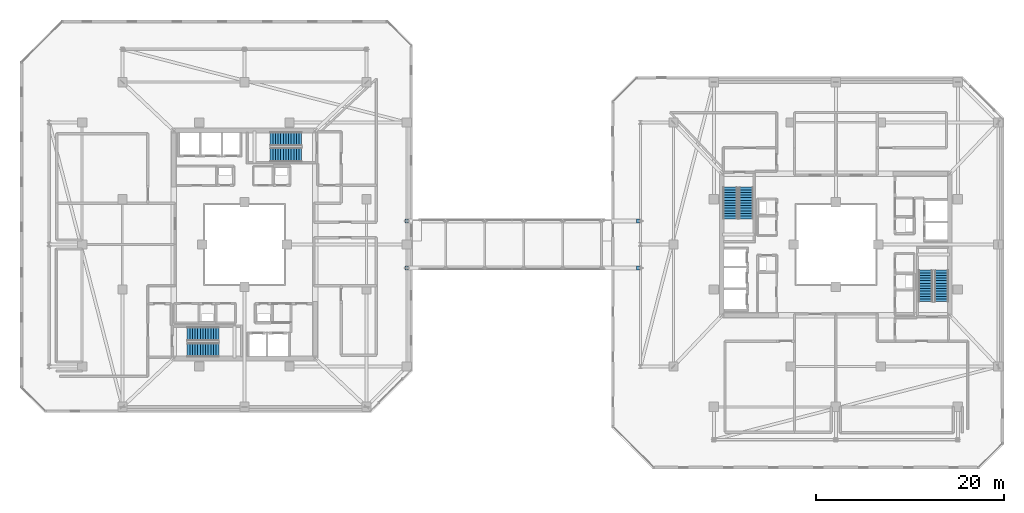
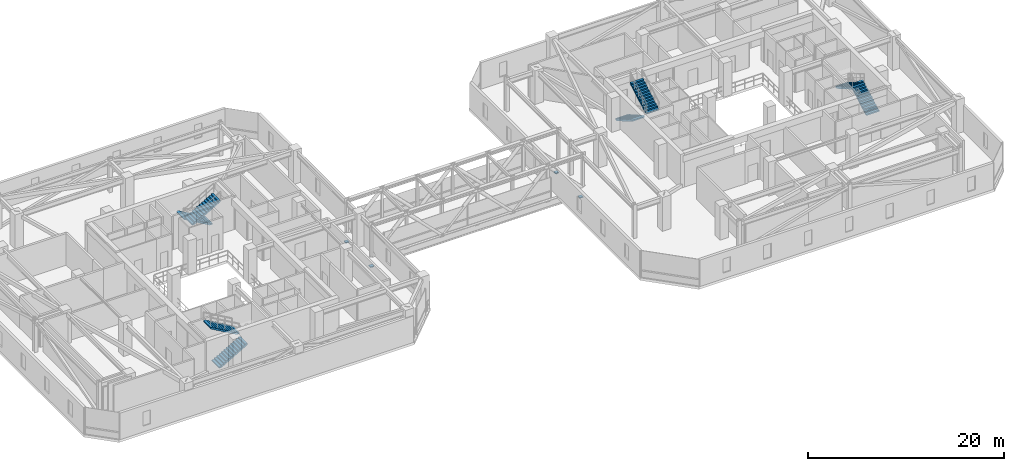
# One storey, part 40 of 42: 8 stair flights, 4 discrete accessories, 4 elements without a shape of their own.
"""IFC4 building model written with IfcOpenShell, lengths in metres."""

from ifc_helpers import new_model, si_unit, direction, frame, origin, origin_2d, place, context, subcontext, project, spatial, polyline, rectangle, outline, extrude, material, type_object, element, aggregate, save


model = new_model("IFC4")

# Units and contexts
model_context = context("Model", 3, precision=1e-05, world=origin(), true_north=direction((0.0, 1.0)))
body_context = subcontext(model_context, "Body", "Model", "MODEL_VIEW")
ifc_project = project(units=[si_unit("LENGTHUNIT", "METRE"), si_unit("AREAUNIT", "SQUARE_METRE"), si_unit("VOLUMEUNIT", "CUBIC_METRE"), si_unit("PLANEANGLEUNIT", "RADIAN"), si_unit("MASSUNIT", "GRAM", prefix="KILO")], contexts=[model_context])

# Site, building, storey
site_placement = place(None, origin())
site = spatial("IfcSite", under=ifc_project, at=site_placement, CompositionType="ELEMENT")
building_placement = place(site_placement, origin())
building = spatial("IfcBuilding", under=site, at=building_placement, Name="Thornwick Lancets Civic Towers", CompositionType="ELEMENT")
storey_placement = place(building_placement, frame((0.0, 0.0, 221.699951171875)))
storey = spatial("IfcBuildingStorey", under=building, at=storey_placement, Name="L59", CompositionType="ELEMENT", Elevation=221.699951171875)

# Stair, stair flights
ifc_material_1 = material(Name="Concrete C40/50", Category="concrete")
stair_type = type_object("IfcStairType", Name="STAIR_DL_4200", PredefinedType="HALF_TURN_STAIR", material=ifc_material_1)
stair_1_placement = place(storey_placement, origin())
stair_1 = element("IfcStair", 1, at=stair_1_placement, inside=storey, type_object=stair_type, Name="L59 Tower A South Exit Stair ST-A1", PredefinedType="HALF_TURN_STAIR")
stair_flight_type = type_object("IfcStairFlightType", Name="FLIGHT_4200", PredefinedType="STRAIGHT", material=ifc_material_1)
stair_flight_1_placement = place(storey_placement, frame((19.39990234375, 15.75, 0.0), z_axis=(0.0, 0.0, 1.0), x_axis=(1.0, 0.0, 0.0)))
stair_flight_1 = element("IfcStairFlight", 2, at=stair_flight_1_placement, type_object=stair_flight_type, Name="ST-A1 flight 1", NumberOfRisers=13, NumberOfTreads=12, PredefinedType="STRAIGHT", RiserHeight=0.161538462, TreadLength=0.28, context=body_context, shape_type="SweptSolid", body=[
    extrude(outline(polyline([(0.0, 0.0), (0.0, 0.16162109375), (0.280029296875, 0.16162109375), (0.280029296875, 0.322998046875), (0.56005859375, 0.322998046875), (0.56005859375, 0.484619140625), (0.840087890625, 0.484619140625), (0.840087890625, 0.646240234375), (1.1201171875, 0.646240234375), (1.1201171875, 0.8076171875), (1.39990234375, 0.8076171875), (1.39990234375, 0.96923828125), (1.679931640625, 0.96923828125), (1.679931640625, 1.130859375), (1.9599609375, 1.130859375), (1.9599609375, 1.292236328125), (2.239990234375, 1.292236328125), (2.239990234375, 1.453857421875), (2.52001953125, 1.453857421875), (2.52001953125, 1.615478515625), (2.800048828125, 1.615478515625), (2.800048828125, 1.77685546875), (3.080078125, 1.77685546875), (3.080078125, 1.9384765625), (3.360107421875, 1.9384765625), (3.360107421875, 2.10009765625), (3.360107421875, 1.765380859375), (0.300048828125, 0.0), (0.0, 0.0)])), frame((0.0, 0.75, 0.0), z_axis=(0.0, -1.0, 0.0), x_axis=(1.0, 0.0, 0.0)), (0.0, 0.0, 1.0), 1.5),
])
stair_flight_2_placement = place(storey_placement, frame((22.760009765625, 17.449951171875, 2.10009765625), z_axis=(0.0, 0.0, 1.0), x_axis=(-1.0, 0.0, 0.0)))
stair_flight_2 = element("IfcStairFlight", 3, at=stair_flight_2_placement, type_object=stair_flight_type, Name="ST-A1 flight 2", NumberOfRisers=13, NumberOfTreads=12, PredefinedType="STRAIGHT", RiserHeight=0.161538462, TreadLength=0.28, context=body_context, shape_type="SweptSolid", body=[
    extrude(outline(polyline([(0.0, 0.0), (0.0, 0.16162109375), (0.280029296875, 0.16162109375), (0.280029296875, 0.322998046875), (0.56005859375, 0.322998046875), (0.56005859375, 0.484619140625), (0.840087890625, 0.484619140625), (0.840087890625, 0.646240234375), (1.1201171875, 0.646240234375), (1.1201171875, 0.8076171875), (1.39990234375, 0.8076171875), (1.39990234375, 0.96923828125), (1.679931640625, 0.96923828125), (1.679931640625, 1.130859375), (1.9599609375, 1.130859375), (1.9599609375, 1.292236328125), (2.239990234375, 1.292236328125), (2.239990234375, 1.453857421875), (2.52001953125, 1.453857421875), (2.52001953125, 1.615478515625), (2.800048828125, 1.615478515625), (2.800048828125, 1.77685546875), (3.080078125, 1.77685546875), (3.080078125, 1.9384765625), (3.360107421875, 1.9384765625), (3.360107421875, 2.10009765625), (3.360107421875, 1.765380859375), (0.300048828125, 0.0), (0.0, 0.0)])), frame((0.0, 0.75, 0.0), z_axis=(0.0, -1.0, 0.0), x_axis=(1.0, 0.0, 0.0)), (0.0, 0.0, 1.0), 1.5),
])
aggregate(stair_1, [stair_flight_1, stair_flight_2])

stair_2_placement = place(storey_placement, origin())
stair_2 = element("IfcStair", 4, at=stair_2_placement, inside=storey, type_object=stair_type, Name="L59 Tower A North Exit Stair ST-A2", PredefinedType="HALF_TURN_STAIR")
stair_flight_3_placement = place(storey_placement, frame((31.60009765625, 38.25, 0.0), z_axis=(0.0, 0.0, 1.0), x_axis=(-1.0, 0.0, 0.0)))
stair_flight_3 = element("IfcStairFlight", 5, at=stair_flight_3_placement, type_object=stair_flight_type, Name="ST-A2 flight 1", NumberOfRisers=13, NumberOfTreads=12, PredefinedType="STRAIGHT", RiserHeight=0.161538462, TreadLength=0.28, context=body_context, shape_type="SweptSolid", body=[
    extrude(outline(polyline([(0.0, 0.0), (0.0, 0.16162109375), (0.280029296875, 0.16162109375), (0.280029296875, 0.322998046875), (0.56005859375, 0.322998046875), (0.56005859375, 0.484619140625), (0.840087890625, 0.484619140625), (0.840087890625, 0.646240234375), (1.1201171875, 0.646240234375), (1.1201171875, 0.8076171875), (1.39990234375, 0.8076171875), (1.39990234375, 0.96923828125), (1.679931640625, 0.96923828125), (1.679931640625, 1.130859375), (1.9599609375, 1.130859375), (1.9599609375, 1.292236328125), (2.239990234375, 1.292236328125), (2.239990234375, 1.453857421875), (2.52001953125, 1.453857421875), (2.52001953125, 1.615478515625), (2.800048828125, 1.615478515625), (2.800048828125, 1.77685546875), (3.080078125, 1.77685546875), (3.080078125, 1.9384765625), (3.360107421875, 1.9384765625), (3.360107421875, 2.10009765625), (3.360107421875, 1.765380859375), (0.300048828125, 0.0), (0.0, 0.0)])), frame((0.0, 0.75, 0.0), z_axis=(0.0, -1.0, 0.0), x_axis=(1.0, 0.0, 0.0)), (0.0, 0.0, 1.0), 1.5),
])
stair_flight_4_placement = place(storey_placement, frame((28.239990234375, 36.550048828125, 2.10009765625), z_axis=(0.0, 0.0, 1.0), x_axis=(1.0, 0.0, 0.0)))
stair_flight_4 = element("IfcStairFlight", 6, at=stair_flight_4_placement, type_object=stair_flight_type, Name="ST-A2 flight 2", NumberOfRisers=13, NumberOfTreads=12, PredefinedType="STRAIGHT", RiserHeight=0.161538462, TreadLength=0.28, context=body_context, shape_type="SweptSolid", body=[
    extrude(outline(polyline([(0.0, 0.0), (0.0, 0.16162109375), (0.280029296875, 0.16162109375), (0.280029296875, 0.322998046875), (0.56005859375, 0.322998046875), (0.56005859375, 0.484619140625), (0.840087890625, 0.484619140625), (0.840087890625, 0.646240234375), (1.1201171875, 0.646240234375), (1.1201171875, 0.8076171875), (1.39990234375, 0.8076171875), (1.39990234375, 0.96923828125), (1.679931640625, 0.96923828125), (1.679931640625, 1.130859375), (1.9599609375, 1.130859375), (1.9599609375, 1.292236328125), (2.239990234375, 1.292236328125), (2.239990234375, 1.453857421875), (2.52001953125, 1.453857421875), (2.52001953125, 1.615478515625), (2.800048828125, 1.615478515625), (2.800048828125, 1.77685546875), (3.080078125, 1.77685546875), (3.080078125, 1.9384765625), (3.360107421875, 1.9384765625), (3.360107421875, 2.10009765625), (3.360107421875, 1.765380859375), (0.300048828125, 0.0), (0.0, 0.0)])), frame((0.0, 0.75, 0.0), z_axis=(0.0, -1.0, 0.0), x_axis=(1.0, 0.0, 0.0)), (0.0, 0.0, 1.0), 1.5),
])
aggregate(stair_2, [stair_flight_3, stair_flight_4])

stair_3_placement = place(storey_placement, origin())
stair_3 = element("IfcStair", 7, at=stair_3_placement, inside=storey, type_object=stair_type, Name="L59 Tower B East Exit Stair ST-B1", PredefinedType="HALF_TURN_STAIR")
stair_flight_5_placement = place(storey_placement, frame((99.75, 20.89990234375, 0.0), z_axis=(0.0, 0.0, 1.0), x_axis=(0.0, 1.0, 0.0)))
stair_flight_5 = element("IfcStairFlight", 8, at=stair_flight_5_placement, type_object=stair_flight_type, Name="ST-B1 flight 1", NumberOfRisers=13, NumberOfTreads=12, PredefinedType="STRAIGHT", RiserHeight=0.161538462, TreadLength=0.28, context=body_context, shape_type="SweptSolid", body=[
    extrude(outline(polyline([(0.0, 0.0), (0.0, 0.16162109375), (0.280029296875, 0.16162109375), (0.280029296875, 0.322998046875), (0.56005859375, 0.322998046875), (0.56005859375, 0.484619140625), (0.840087890625, 0.484619140625), (0.840087890625, 0.646240234375), (1.1201171875, 0.646240234375), (1.1201171875, 0.8076171875), (1.39990234375, 0.8076171875), (1.39990234375, 0.96923828125), (1.679931640625, 0.96923828125), (1.679931640625, 1.130859375), (1.9599609375, 1.130859375), (1.9599609375, 1.292236328125), (2.239990234375, 1.292236328125), (2.239990234375, 1.453857421875), (2.52001953125, 1.453857421875), (2.52001953125, 1.615478515625), (2.800048828125, 1.615478515625), (2.800048828125, 1.77685546875), (3.080078125, 1.77685546875), (3.080078125, 1.9384765625), (3.360107421875, 1.9384765625), (3.360107421875, 2.10009765625), (3.360107421875, 1.765380859375), (0.300048828125, 0.0), (0.0, 0.0)])), frame((0.0, 0.75, 0.0), z_axis=(0.0, -1.0, 0.0), x_axis=(1.0, 0.0, 0.0)), (0.0, 0.0, 1.0), 1.5),
])
stair_flight_6_placement = place(storey_placement, frame((98.050048828125, 24.260009765625, 2.10009765625), z_axis=(0.0, 0.0, 1.0), x_axis=(0.0, -1.0, 0.0)))
stair_flight_6 = element("IfcStairFlight", 9, at=stair_flight_6_placement, type_object=stair_flight_type, Name="ST-B1 flight 2", NumberOfRisers=13, NumberOfTreads=12, PredefinedType="STRAIGHT", RiserHeight=0.161538462, TreadLength=0.28, context=body_context, shape_type="SweptSolid", body=[
    extrude(outline(polyline([(0.0, 0.0), (0.0, 0.16162109375), (0.280029296875, 0.16162109375), (0.280029296875, 0.322998046875), (0.56005859375, 0.322998046875), (0.56005859375, 0.484619140625), (0.840087890625, 0.484619140625), (0.840087890625, 0.646240234375), (1.1201171875, 0.646240234375), (1.1201171875, 0.8076171875), (1.39990234375, 0.8076171875), (1.39990234375, 0.96923828125), (1.679931640625, 0.96923828125), (1.679931640625, 1.130859375), (1.9599609375, 1.130859375), (1.9599609375, 1.292236328125), (2.239990234375, 1.292236328125), (2.239990234375, 1.453857421875), (2.52001953125, 1.453857421875), (2.52001953125, 1.615478515625), (2.800048828125, 1.615478515625), (2.800048828125, 1.77685546875), (3.080078125, 1.77685546875), (3.080078125, 1.9384765625), (3.360107421875, 1.9384765625), (3.360107421875, 2.10009765625), (3.360107421875, 1.765380859375), (0.300048828125, 0.0), (0.0, 0.0)])), frame((0.0, 0.75, 0.0), z_axis=(0.0, -1.0, 0.0), x_axis=(1.0, 0.0, 0.0)), (0.0, 0.0, 1.0), 1.5),
])
aggregate(stair_3, [stair_flight_5, stair_flight_6])

stair_4_placement = place(storey_placement, origin())
stair_4 = element("IfcStair", 10, at=stair_4_placement, inside=storey, type_object=stair_type, Name="L59 Tower B West Exit Stair ST-B2", PredefinedType="HALF_TURN_STAIR")
stair_flight_7_placement = place(storey_placement, frame((77.25, 33.10009765625, 0.0), z_axis=(0.0, 0.0, 1.0), x_axis=(0.0, -1.0, 0.0)))
stair_flight_7 = element("IfcStairFlight", 11, at=stair_flight_7_placement, type_object=stair_flight_type, Name="ST-B2 flight 1", NumberOfRisers=13, NumberOfTreads=12, PredefinedType="STRAIGHT", RiserHeight=0.161538462, TreadLength=0.28, context=body_context, shape_type="SweptSolid", body=[
    extrude(outline(polyline([(0.0, 0.0), (0.0, 0.16162109375), (0.280029296875, 0.16162109375), (0.280029296875, 0.322998046875), (0.56005859375, 0.322998046875), (0.56005859375, 0.484619140625), (0.840087890625, 0.484619140625), (0.840087890625, 0.646240234375), (1.1201171875, 0.646240234375), (1.1201171875, 0.8076171875), (1.39990234375, 0.8076171875), (1.39990234375, 0.96923828125), (1.679931640625, 0.96923828125), (1.679931640625, 1.130859375), (1.9599609375, 1.130859375), (1.9599609375, 1.292236328125), (2.239990234375, 1.292236328125), (2.239990234375, 1.453857421875), (2.52001953125, 1.453857421875), (2.52001953125, 1.615478515625), (2.800048828125, 1.615478515625), (2.800048828125, 1.77685546875), (3.080078125, 1.77685546875), (3.080078125, 1.9384765625), (3.360107421875, 1.9384765625), (3.360107421875, 2.10009765625), (3.360107421875, 1.765380859375), (0.300048828125, 0.0), (0.0, 0.0)])), frame((0.0, 0.75, 0.0), z_axis=(0.0, -1.0, 0.0), x_axis=(1.0, 0.0, 0.0)), (0.0, 0.0, 1.0), 1.5),
])
stair_flight_8_placement = place(storey_placement, frame((78.949951171875, 29.739990234375, 2.10009765625), z_axis=(0.0, 0.0, 1.0), x_axis=(0.0, 1.0, 0.0)))
stair_flight_8 = element("IfcStairFlight", 12, at=stair_flight_8_placement, type_object=stair_flight_type, Name="ST-B2 flight 2", NumberOfRisers=13, NumberOfTreads=12, PredefinedType="STRAIGHT", RiserHeight=0.161538462, TreadLength=0.28, context=body_context, shape_type="SweptSolid", body=[
    extrude(outline(polyline([(0.0, 0.0), (0.0, 0.16162109375), (0.280029296875, 0.16162109375), (0.280029296875, 0.322998046875), (0.56005859375, 0.322998046875), (0.56005859375, 0.484619140625), (0.840087890625, 0.484619140625), (0.840087890625, 0.646240234375), (1.1201171875, 0.646240234375), (1.1201171875, 0.8076171875), (1.39990234375, 0.8076171875), (1.39990234375, 0.96923828125), (1.679931640625, 0.96923828125), (1.679931640625, 1.130859375), (1.9599609375, 1.130859375), (1.9599609375, 1.292236328125), (2.239990234375, 1.292236328125), (2.239990234375, 1.453857421875), (2.52001953125, 1.453857421875), (2.52001953125, 1.615478515625), (2.800048828125, 1.615478515625), (2.800048828125, 1.77685546875), (3.080078125, 1.77685546875), (3.080078125, 1.9384765625), (3.360107421875, 1.9384765625), (3.360107421875, 2.10009765625), (3.360107421875, 1.765380859375), (0.300048828125, 0.0), (0.0, 0.0)])), frame((0.0, 0.75, 0.0), z_axis=(0.0, -1.0, 0.0), x_axis=(1.0, 0.0, 0.0)), (0.0, 0.0, 1.0), 1.5),
])
aggregate(stair_4, [stair_flight_7, stair_flight_8])

# Discrete accessories
ifc_material_2 = material(Name="Steel S460M", Category="steel")
discrete_accessory_type_1 = type_object("IfcDiscreteAccessoryType", Name="ACC_PIN_BEARING", PredefinedType="USERDEFINED", material=ifc_material_2)
for number, where, z_axis, x_axis, name in (
    (13, (42.800048828125, 24.5, -1.260986328125), (0.0, 0.0, 1.0), (1.0, 0.0, 0.0), "L59 Skybridge Pinned Bearing A1"),
    (14, (42.800048828125, 29.5, -1.260986328125), (0.0, 0.0, 1.0), (1.0, 0.0, 0.0), "L59 Skybridge Pinned Bearing A2"),
):
    element("IfcDiscreteAccessory", number, at=place(storey_placement, frame(where, z_axis=z_axis, x_axis=x_axis)), inside=storey, type_object=discrete_accessory_type_1, Name=name, ObjectType="PINNED_BEARING", PredefinedType="USERDEFINED", context=body_context, shape_type="SweptSolid", body=[
        extrude(rectangle(XDim=0.39990234375, YDim=0.39990234375, at=origin_2d()), origin(), (0.0, 0.0, 1.0), 0.1201171875),
    ])
discrete_accessory_type_2 = type_object("IfcDiscreteAccessoryType", Name="ACC_SLIDE_BEARING", PredefinedType="USERDEFINED", material=ifc_material_2)
for number, where, z_axis, x_axis, name in (
    (15, (67.449951171875, 24.5, -1.260986328125), (0.0, 0.0, 1.0), (1.0, 0.0, 0.0), "L59 Skybridge Sliding Bearing B1"),
    (16, (67.449951171875, 29.5, -1.260986328125), (0.0, 0.0, 1.0), (1.0, 0.0, 0.0), "L59 Skybridge Sliding Bearing B2"),
):
    element("IfcDiscreteAccessory", number, at=place(storey_placement, frame(where, z_axis=z_axis, x_axis=x_axis)), inside=storey, type_object=discrete_accessory_type_2, Name=name, ObjectType="SLIDING_BEARING", PredefinedType="USERDEFINED", context=body_context, shape_type="SweptSolid", body=[
        extrude(rectangle(XDim=0.39990234375, YDim=0.39990234375, at=origin_2d()), origin(), (0.0, 0.0, 1.0), 0.1201171875),
    ])

save(model, "model.ifc")
